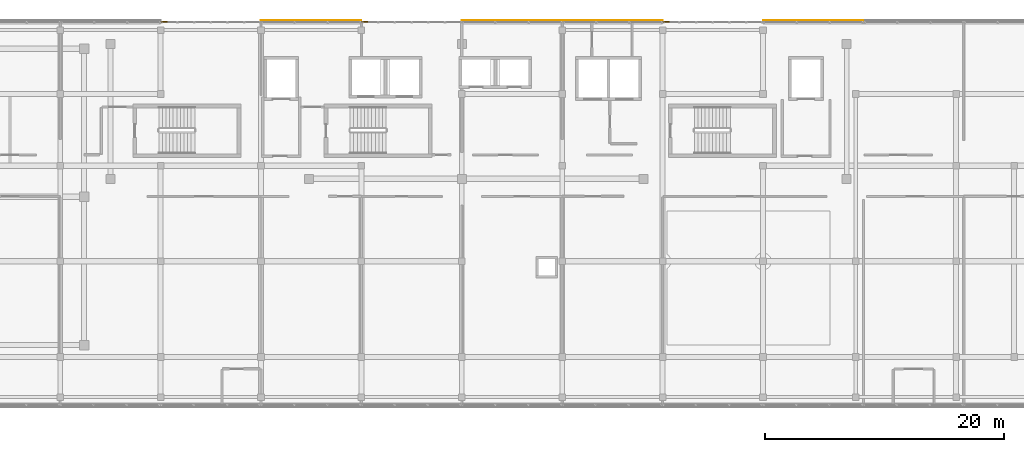
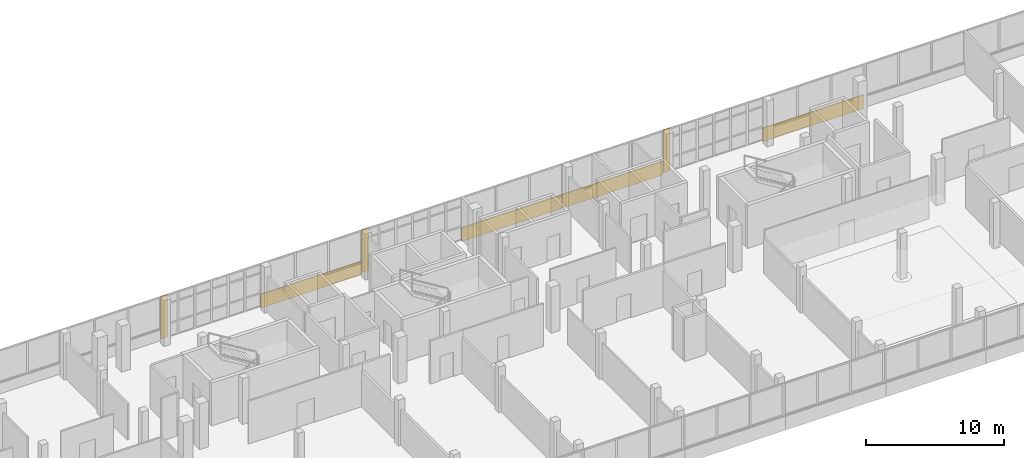
# One storey, part 65 of 66: 7 coverings.
"""IFC4 building model written with IfcOpenShell, lengths in metres."""

import ifcopenshell
import ifcopenshell.guid

model = None  # the IFC model being written
_history = None  # IfcOwnerHistory: only IFC2X3 demands one
_inside = {}  # id of a spatial element -> (the spatial element, [elements in it])
_under = {}  # id of a project, library or spatial element -> (it, [spatial elements below it])
_declared = {}  # id of a project -> (the project, [libraries it declares])
_typed = {}  # id of a type object -> (the type object, [elements of that type])
_made_of = {}  # id of a material, layer set ... -> (it, [elements and type objects made of it])


def new_model(schema):
    """Start an empty IFC model of exactly this schema.

    Asked for "IFC4X3", IfcOpenShell would pick the latest addendum, in which some entities
    have other attributes; the version numbers below select the first issue.
    IFC2X3 requires an IfcOwnerHistory on every rooted entity: one is made here for all.
    """
    global model, _history
    if schema == "IFC4X3":
        model = ifcopenshell.file(schema_version=(4, 3, 0, 0))
    else:
        model = ifcopenshell.file(schema=schema)
    _inside.clear()
    _under.clear()
    _declared.clear()
    _typed.clear()
    _made_of.clear()
    _history = None
    if model.schema == "IFC2X3":
        org = make("IfcOrganization", Name="unknown")
        user = make(
            "IfcPersonAndOrganization",
            ThePerson=make("IfcPerson", FamilyName="unknown"),
            TheOrganization=org,
        )
        app = make(
            "IfcApplication",
            ApplicationDeveloper=org,
            Version="unknown",
            ApplicationFullName="unknown",
            ApplicationIdentifier="unknown",
        )
        _history = make(
            "IfcOwnerHistory",
            OwningUser=user,
            OwningApplication=app,
            ChangeAction="ADDED",
            CreationDate=0,
        )
    return model


def make(cls, **values):
    """One entity of the class cls with the attributes given. An attribute that is None is left unset."""
    return model.create_entity(
        cls, **{name: value for name, value in values.items() if value is not None}
    )


def rooted(cls, **values):
    """An entity with a GlobalId (a new one), such as an element, a storey or a relation."""
    return make(cls, GlobalId=ifcopenshell.guid.new(), OwnerHistory=_history, **values)


def si_unit(unit_type, name, prefix=None):
    """IfcSIUnit, for example si_unit("LENGTHUNIT", "METRE", prefix="MILLI")."""
    return make("IfcSIUnit", UnitType=unit_type, Prefix=prefix, Name=name)


def assignment(units):
    """IfcUnitAssignment: the units of a project."""
    return None if units is None else make("IfcUnitAssignment", Units=units)


def point(xyz):
    """IfcCartesianPoint."""
    return None if xyz is None else make("IfcCartesianPoint", Coordinates=xyz)


def direction(xyz):
    """IfcDirection."""
    return None if xyz is None else make("IfcDirection", DirectionRatios=xyz)


def frame(location, z_axis=None, x_axis=None):
    """IfcAxis2Placement3D, a coordinate frame: its origin and axes. An axis left out is left unset."""
    return make(
        "IfcAxis2Placement3D",
        Location=point(location),
        Axis=direction(z_axis),
        RefDirection=direction(x_axis),
    )


def frame_2d(location, x_axis=None):
    """IfcAxis2Placement2D, a coordinate frame in the plane: its origin and x axis."""
    return make(
        "IfcAxis2Placement2D", Location=point(location), RefDirection=direction(x_axis)
    )


def origin():
    """The frame at (0, 0, 0) with its axes left unset."""
    return frame((0.0, 0.0, 0.0))


def origin_2d():
    """The frame at (0, 0) in the plane with its x axis left unset."""
    return frame_2d((0.0, 0.0))


def place(relative_to, where):
    """IfcLocalPlacement: puts the frame where relative to a parent placement (None: the world)."""
    return make(
        "IfcLocalPlacement", PlacementRelTo=relative_to, RelativePlacement=where
    )


def context(
    kind, dimensions, precision=None, world=None, true_north=None, identifier=None
):
    """IfcGeometricRepresentationContext, for example the 3D "Model" context."""
    return make(
        "IfcGeometricRepresentationContext",
        ContextIdentifier=identifier,
        ContextType=kind,
        CoordinateSpaceDimension=dimensions,
        Precision=precision,
        WorldCoordinateSystem=world,
        TrueNorth=true_north,
    )


def subcontext(parent, identifier, kind, view, scale=None):
    """IfcGeometricRepresentationSubContext, for example "Body" below "Model"."""
    return make(
        "IfcGeometricRepresentationSubContext",
        ContextIdentifier=identifier,
        ContextType=kind,
        ParentContext=parent,
        TargetScale=scale,
        TargetView=view,
    )


def project(units=None, contexts=None):
    """IfcProject with its units and contexts."""
    return rooted(
        "IfcProject",
        Name="project",
        RepresentationContexts=contexts,
        UnitsInContext=assignment(units),
    )


def spatial(cls, under=None, at=None, **own):
    """A site, building, storey or space (cls), placed at a placement, below another one or the project."""
    s = rooted(cls, ObjectPlacement=at, **own)
    if under is not None:
        _under.setdefault(under.id(), (under, []))[1].append(s)
    return s


def profile(cls, at=None, kind="AREA", **sizes):
    """A parametric profile (cls). Its sizes go by their IFC names, for example OverallWidth=200.0."""
    return make(cls, ProfileType=kind, Position=at, **sizes)


def rectangle(**sizes):
    """IfcRectangleProfileDef."""
    return profile("IfcRectangleProfileDef", **sizes)


def extrude(swept, where, along, depth):
    """IfcExtrudedAreaSolid: the profile swept, set in the frame where, extruded along a direction by depth."""
    return make(
        "IfcExtrudedAreaSolid",
        SweptArea=swept,
        Position=where,
        ExtrudedDirection=direction(along),
        Depth=depth,
    )


def shape(context_of_items, identifier, shape_type, items):
    """IfcShapeRepresentation: the items that make up one representation, for example the "Body"."""
    return make(
        "IfcShapeRepresentation",
        ContextOfItems=context_of_items,
        RepresentationIdentifier=identifier,
        RepresentationType=shape_type,
        Items=items,
    )


def material(Name=None, Category=None):
    """IfcMaterial."""
    return make("IfcMaterial", Name=Name, Category=Category)


def layer(
    of_material, thickness, ventilated=None, Name=None, Category=None, Priority=None
):
    """IfcMaterialLayer: one layer of a wall or slab, of a material (None: an air gap)."""
    return make(
        "IfcMaterialLayer",
        Material=of_material,
        LayerThickness=thickness,
        IsVentilated=ventilated,
        Name=Name,
        Category=Category,
        Priority=Priority,
    )


def layer_set(layers, Name=None):
    """IfcMaterialLayerSet."""
    return make("IfcMaterialLayerSet", MaterialLayers=layers, LayerSetName=Name)


def made_of(thing, what):
    """Note that an element or type object is made of a material, layer set ...; save() writes the relation."""
    if what is not None:
        _made_of.setdefault(what.id(), (what, []))[1].append(thing)
    return thing


def type_object(cls, material=None, **own):
    """A type object (cls), such as IfcWallType, which elements share."""
    return made_of(rooted(cls, **own), material)


def element(
    cls,
    number,
    at=None,
    inside=None,
    cuts=None,
    type_object=None,
    material=None,
    context=None,
    identifier="Body",
    shape_type=None,
    held_by="IfcProductDefinitionShape",
    body=None,
    shapes=None,
    **own,
):
    """One element of the class cls, such as IfcWall. Its Tag is "e" and its number.

    at: its placement. inside: the storey or other place that contains it. cuts: it is an
    opening in that element (IfcRelVoidsElement). A single representation is given by context,
    identifier, shape_type and body (its items); several are given by shapes. held_by: the class
    of the entity that holds the representations. save() writes the other relations.
    """
    e = rooted(cls, Tag="e%d" % number, ObjectPlacement=at, **own)
    if body is not None:
        shapes = [shape(context, identifier, shape_type, body)]
    if shapes is not None:
        e.Representation = make(held_by, Representations=shapes)
    if inside is not None:
        _inside.setdefault(inside.id(), (inside, []))[1].append(e)
    if cuts is not None:
        rooted(
            "IfcRelVoidsElement", RelatingBuildingElement=cuts, RelatedOpeningElement=e
        )
    if type_object is not None:
        _typed.setdefault(type_object.id(), (type_object, []))[1].append(e)
    return made_of(e, material)


def aggregate(whole, parts):
    """IfcRelAggregates: a whole, such as a stair, and the parts it consists of."""
    return rooted("IfcRelAggregates", RelatingObject=whole, RelatedObjects=parts)


def save(model, path):
    """Write the relations noted so far, then the file.

    IfcRelAggregates (storeys below a building ...), IfcRelContainedInSpatialStructure (elements
    in a storey), IfcRelDefinesByType, IfcRelAssociatesMaterial and IfcRelDeclares: one each for
    every whole, place, type object, material and project.
    """
    for whole, parts in _under.values():
        aggregate(whole, parts)
    for where, things in _inside.values():
        rooted(
            "IfcRelContainedInSpatialStructure",
            RelatedElements=things,
            RelatingStructure=where,
        )
    for kind, things in _typed.values():
        rooted("IfcRelDefinesByType", RelatedObjects=things, RelatingType=kind)
    for what, things in _made_of.values():
        rooted("IfcRelAssociatesMaterial", RelatedObjects=things, RelatingMaterial=what)
    for by, libraries in _declared.values():
        rooted("IfcRelDeclares", RelatingContext=by, RelatedDefinitions=libraries)
    model.write(path)


model = new_model("IFC4")

# Units and contexts
model_context = context("Model", 3, precision=1e-05, world=origin(), true_north=direction((0.0, 1.0)))
body_context = subcontext(model_context, "Body", "Model", "MODEL_VIEW")
ifc_project = project(units=[si_unit("LENGTHUNIT", "METRE"), si_unit("AREAUNIT", "SQUARE_METRE"), si_unit("VOLUMEUNIT", "CUBIC_METRE"), si_unit("PLANEANGLEUNIT", "RADIAN"), si_unit("MASSUNIT", "GRAM", prefix="KILO")], contexts=[model_context])

# Site, building, storey
site_placement = place(None, origin())
site = spatial("IfcSite", under=ifc_project, at=site_placement, CompositionType="ELEMENT")
building_placement = place(site_placement, origin())
building = spatial("IfcBuilding", under=site, at=building_placement, Name="Selatvlak General Hospital", CompositionType="ELEMENT")
storey_placement = place(building_placement, frame((0.0, 0.0, 31.35009765625)))
storey = spatial("IfcBuildingStorey", under=building, at=storey_placement, Name="L07", CompositionType="ELEMENT", Elevation=31.35009765625)

# Coverings
ifc_material = material(Name="White Bauhaus fair-faced cladding panel")
ifc_layer = layer(ifc_material, 0.054931640625, Name="White Bauhaus fair-faced cladding panel")
ifc_layer_set = layer_set([ifc_layer], Name="White Bauhaus fair-faced cladding panel")
covering_type = type_object("IfcCoveringType", Name="COV-WHT1", PredefinedType="CLADDING", material=ifc_layer_set)
covering_1_placement = place(storey_placement, frame((90.27490234375, 120.0439453125, -0.00048828125), z_axis=(0.0, 0.0, 1.0), x_axis=(1.0, 0.0, 0.0)))
element("IfcCovering", 1, at=covering_1_placement, inside=storey, type_object=covering_type, Name="L07 Bauhaus vertical core pilaster 0505", PredefinedType="CLADDING", context=body_context, shape_type="SweptSolid", body=[
    extrude(rectangle(XDim=0.550048828125, YDim=0.054931640625, at=origin_2d()), origin(), (0.0, 0.0, 1.0), 3.784912109375),
])
covering_2_placement = place(storey_placement, frame((102.59912109375, 120.1650390625, -0.2802734375), z_axis=(0.0, 0.0, 1.0), x_axis=(1.0, 0.0, 0.0)))
element("IfcCovering", 2, at=covering_2_placement, inside=storey, type_object=covering_type, Name="L07 Bauhaus horizontal white spandrel band 0506", PredefinedType="CLADDING", context=body_context, shape_type="SweptSolid", body=[
    extrude(rectangle(XDim=8.39990234375, YDim=0.054931640625, at=origin_2d()), origin(), (0.0, 0.0, 1.0), 1.219970703125),
])
covering_3_placement = place(storey_placement, frame((107.073974609375, 120.044921875, -0.00048828125), z_axis=(0.0, 0.0, 1.0), x_axis=(1.0, 0.0, 0.0)))
element("IfcCovering", 3, at=covering_3_placement, inside=storey, type_object=covering_type, Name="L07 Bauhaus vertical core pilaster 0507", PredefinedType="CLADDING", context=body_context, shape_type="SweptSolid", body=[
    extrude(rectangle(XDim=0.550048828125, YDim=0.054931640625, at=origin_2d()), origin(), (0.0, 0.0, 1.0), 3.784912109375),
])
for number, where, z_axis, x_axis, name in (
    (4, (119.39892578125, 120.1650390625, -0.2802734375), (0.0, 0.0, 1.0), (1.0, 0.0, 0.0), "L07 Bauhaus horizontal white spandrel band 0508"),
    (5, (127.799072265625, 120.1650390625, -0.2802734375), (0.0, 0.0, 1.0), (1.0, 0.0, 0.0), "L07 Bauhaus horizontal white spandrel band 0509"),
):
    element("IfcCovering", number, at=place(storey_placement, frame(where, z_axis=z_axis, x_axis=x_axis)), inside=storey, type_object=covering_type, Name=name, PredefinedType="CLADDING", context=body_context, shape_type="SweptSolid", body=[
        extrude(rectangle(XDim=8.39990234375, YDim=0.054931640625, at=origin_2d()), origin(), (0.0, 0.0, 1.0), 1.219970703125),
    ])
covering_4_placement = place(storey_placement, frame((132.27392578125, 120.044921875, -0.00048828125), z_axis=(0.0, 0.0, 1.0), x_axis=(1.0, 0.0, 0.0)))
element("IfcCovering", 6, at=covering_4_placement, inside=storey, type_object=covering_type, Name="L07 Bauhaus vertical core pilaster 0510", PredefinedType="CLADDING", context=body_context, shape_type="SweptSolid", body=[
    extrude(rectangle(XDim=0.550048828125, YDim=0.054931640625, at=origin_2d()), origin(), (0.0, 0.0, 1.0), 3.784912109375),
])
covering_5_placement = place(storey_placement, frame((144.59912109375, 120.1650390625, -0.2802734375), z_axis=(0.0, 0.0, 1.0), x_axis=(1.0, 0.0, 0.0)))
element("IfcCovering", 7, at=covering_5_placement, inside=storey, type_object=covering_type, Name="L07 Bauhaus horizontal white spandrel band 0511", PredefinedType="CLADDING", context=body_context, shape_type="SweptSolid", body=[
    extrude(rectangle(XDim=8.39990234375, YDim=0.054931640625, at=origin_2d()), origin(), (0.0, 0.0, 1.0), 1.219970703125),
])

save(model, "model.ifc")
